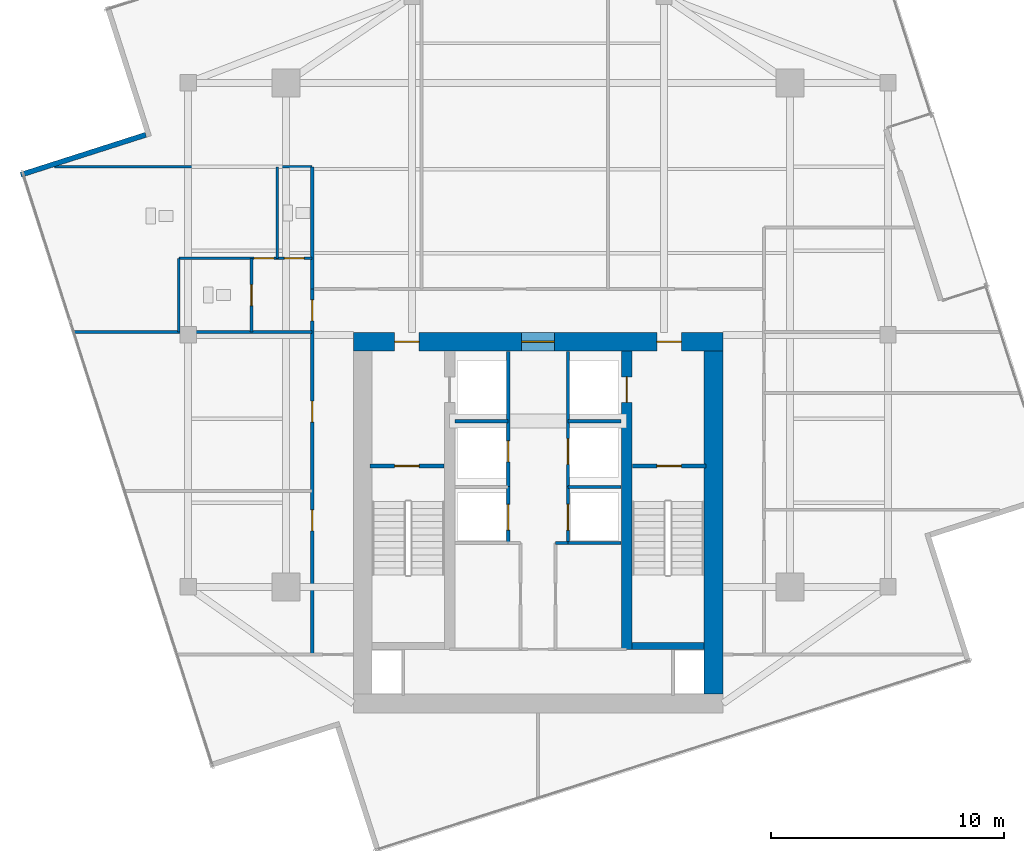
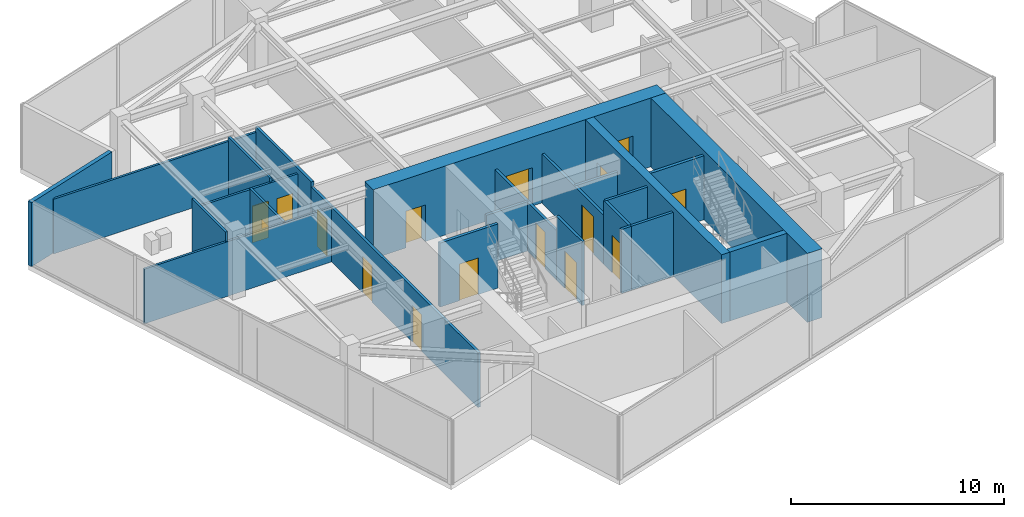
# One storey, part 18 of 21: 24 walls, 16 doors, 16 openings.
"""IFC4 building model written with IfcOpenShell, lengths in metres."""

from ifc_helpers import new_model, si_unit, direction, frame, frame_2d, origin, place, context, subcontext, project, spatial, rectangle, extrude, material, layer, layer_set, type_object, element, fill, save


model = new_model("IFC4")

# Units and contexts
model_context = context("Model", 3, precision=1e-05, world=origin(), true_north=direction((0.0, 1.0)))
body_context = subcontext(model_context, "Body", "Model", "MODEL_VIEW")
ifc_project = project(units=[si_unit("LENGTHUNIT", "METRE"), si_unit("AREAUNIT", "SQUARE_METRE"), si_unit("VOLUMEUNIT", "CUBIC_METRE"), si_unit("PLANEANGLEUNIT", "RADIAN"), si_unit("MASSUNIT", "GRAM", prefix="KILO")], contexts=[model_context])

# Site, building, storey
site_placement = place(None, origin())
site = spatial("IfcSite", under=ifc_project, at=site_placement, CompositionType="ELEMENT")
building_placement = place(site_placement, origin())
building = spatial("IfcBuilding", under=site, at=building_placement, Name="Krantzveldt Concourse Tower", CompositionType="ELEMENT")
storey_placement = place(building_placement, frame((0.0, 0.0, 339.550048828125)))
storey = spatial("IfcBuildingStorey", under=building, at=storey_placement, Name="L83", CompositionType="ELEMENT", Elevation=339.550048828125)

# Walls
ifc_material_1 = material(Name="Anodised aluminium 6063-T6", Category="aluminium")
ifc_layer_1 = layer(ifc_material_1, 0.219970703125, Name="Anodised aluminium 6063-T6", Category="aluminium")
ifc_layer_set_1 = layer_set([ifc_layer_1], Name="Anodised aluminium 6063-T6 (WL-EXT-NOTCH220)")
wall_type_1 = type_object("IfcWallType", Name="WL-EXT-NOTCH220", PredefinedType="ELEMENTEDWALL", material=ifc_layer_set_1)
wall_1_placement = place(storey_placement, frame((19.186279296875, 35.272216796875, 0.0), z_axis=(0.0, 0.0, 1.0), x_axis=(-0.952395921602, -0.30486391803, 0.0)))
element("IfcWall", 1, at=wall_1_placement, inside=storey, type_object=wall_type_1, Name="EW-L83-NCH03", PredefinedType="ELEMENTEDWALL", context=body_context, shape_type="SweptSolid", body=[
    extrude(rectangle(XDim=5.625, YDim=0.219970703125, at=frame_2d((2.8125, 0.0))), origin(), (0.0, 0.0, 1.0), 3.669921875),
])
ifc_material_2 = material(Name="Fire-rated gypsum plasterboard on steel stud", Category="steel")
ifc_layer_2 = layer(ifc_material_2, 0.1201171875, Name="Fire-rated gypsum plasterboard on steel stud", Category="steel")
ifc_layer_set_2 = layer_set([ifc_layer_2], Name="Fire-rated gypsum plasterboard on steel stud (WL-PART-120)")
wall_type_2 = type_object("IfcWallType", Name="WL-PART-120", PredefinedType="PARTITIONING", material=ifc_layer_set_2)
wall_2_placement = place(storey_placement, frame((16.1064453125, 26.820068359375, 0.0), z_axis=(0.0, 0.0, 1.0), x_axis=(1.0, 0.0, 0.0)))
element("IfcWall", 2, at=wall_2_placement, inside=storey, type_object=wall_type_2, Name="WP-L83-WCBS", PredefinedType="PARTITIONING", context=body_context, shape_type="SweptSolid", body=[
    extrude(rectangle(XDim=10.213623046875, YDim=0.1201171875, at=frame_2d((5.10693359375, 0.0))), origin(), (0.0, 0.0, 1.0), 3.1298828125),
])
wall_3_placement = place(storey_placement, frame((15.27685546875, 33.89990234375, 0.0), z_axis=(0.0, 0.0, 1.0), x_axis=(1.0, 0.0, 0.0)))
element("IfcWall", 3, at=wall_3_placement, inside=storey, type_object=wall_type_2, Name="WP-L83-WCBN", PredefinedType="PARTITIONING", context=body_context, shape_type="SweptSolid", body=[
    extrude(rectangle(XDim=11.043212890625, YDim=0.1201171875, at=frame_2d((5.521484375, 0.0))), origin(), (0.0, 0.0, 1.0), 3.1298828125),
])

# Wall, openings, doors
wall_4_placement = place(storey_placement, frame((20.60009765625, 29.97998046875, 0.0), z_axis=(0.0, 0.0, 1.0), x_axis=(1.0, 0.0, 0.0)))
wall_4 = element("IfcWall", 4, at=wall_4_placement, inside=storey, type_object=wall_type_2, Name="WP-L83-WCMH", PredefinedType="PARTITIONING", context=body_context, shape_type="SweptSolid", body=[
    extrude(rectangle(XDim=5.719970703125, YDim=0.1201171875, at=frame_2d((2.85986328125, 0.0))), origin(), (0.0, 0.0, 1.0), 3.1298828125),
])
opening_1_placement = place(wall_4_placement, frame((3.22509765625, 0.0, 0.0)))
opening_1 = element("IfcOpeningElement", 5, at=opening_1_placement, cuts=wall_4, Name="Opening D-IN085", PredefinedType="OPENING", context=body_context, shape_type="SweptSolid", body=[
    extrude(rectangle(XDim=0.85009765625, YDim=2.10009765625, at=frame_2d((0.425048828125, 1.050048828125))), frame((0.0, 0.070068359375, 0.0), z_axis=(0.0, -1.0, 0.0), x_axis=(1.0, 0.0, 0.0)), (0.0, 0.0, 1.0), 0.14013671875),
])
opening_2_placement = place(wall_4_placement, frame((4.52490234375, 0.0, 0.0)))
opening_2 = element("IfcOpeningElement", 6, at=opening_2_placement, cuts=wall_4, Name="Opening D-IN085", PredefinedType="OPENING", context=body_context, shape_type="SweptSolid", body=[
    extrude(rectangle(XDim=0.85009765625, YDim=2.10009765625, at=frame_2d((0.425048828125, 1.050048828125))), frame((0.0, 0.070068359375, 0.0), z_axis=(0.0, -1.0, 0.0), x_axis=(1.0, 0.0, 0.0)), (0.0, 0.0, 1.0), 0.14013671875),
])
ifc_material_3 = material(Name="Hardwood timber", Category="wood")
door_type_1 = type_object("IfcDoorType", Name="DR-INT-850", OperationType="SINGLE_SWING_LEFT", PredefinedType="DOOR", material=ifc_material_3)
door_1_placement = place(opening_1_placement, origin())
door_1 = element("IfcDoor", 7, at=door_1_placement, inside=storey, type_object=door_type_1, Name="DR-L83-WCM", OperationType="SINGLE_SWING_LEFT", OverallHeight=2.10009765625, OverallWidth=0.85009765625, PredefinedType="DOOR", context=body_context, shape_type="SweptSolid", body=[
    extrude(rectangle(XDim=0.85009765625, YDim=2.10009765625, at=frame_2d((0.425048828125, 1.050048828125))), frame((0.0, 0.02490234375, 0.0), z_axis=(0.0, -1.0, 0.0), x_axis=(1.0, 0.0, 0.0)), (0.0, 0.0, 1.0), 0.050048828125),
])
fill(opening_1, door_1)
door_2_placement = place(opening_2_placement, origin())
door_2 = element("IfcDoor", 8, at=door_2_placement, inside=storey, type_object=door_type_1, Name="DR-L83-WCF", OperationType="SINGLE_SWING_RIGHT", OverallHeight=2.10009765625, OverallWidth=0.85009765625, PredefinedType="DOOR", context=body_context, shape_type="SweptSolid", body=[
    extrude(rectangle(XDim=0.85009765625, YDim=2.10009765625, at=frame_2d((0.425048828125, 1.050048828125))), frame((0.0, 0.02490234375, 0.0), z_axis=(0.0, -1.0, 0.0), x_axis=(1.0, 0.0, 0.0)), (0.0, 0.0, 1.0), 0.050048828125),
])
fill(opening_2, door_2)

# Wall
wall_5_placement = place(storey_placement, frame((20.60009765625, 26.820068359375, 0.0), z_axis=(0.0, 0.0, 1.0), x_axis=(0.0, 1.0, 0.0)))
element("IfcWall", 9, at=wall_5_placement, inside=storey, type_object=wall_type_2, Name="WP-L83-WCAL", PredefinedType="PARTITIONING", context=body_context, shape_type="SweptSolid", body=[
    extrude(rectangle(XDim=3.159912109375, YDim=0.1201171875, at=frame_2d((1.580078125, 0.0))), origin(), (0.0, 0.0, 1.0), 3.669921875),
])

# Wall, opening, door
wall_6_placement = place(storey_placement, frame((23.719970703125, 26.820068359375, 0.0), z_axis=(0.0, 0.0, 1.0), x_axis=(0.0, 1.0, 0.0)))
wall_6 = element("IfcWall", 10, at=wall_6_placement, inside=storey, type_object=wall_type_2, Name="WP-L83-WCAV", PredefinedType="PARTITIONING", context=body_context, shape_type="SweptSolid", body=[
    extrude(rectangle(XDim=3.159912109375, YDim=0.1201171875, at=frame_2d((1.580078125, 0.0))), origin(), (0.0, 0.0, 1.0), 3.179931640625),
])
opening_3_placement = place(wall_6_placement, frame((1.1298828125, 0.0, 0.0)))
opening_3 = element("IfcOpeningElement", 11, at=opening_3_placement, cuts=wall_6, Name="Opening D-IN090", PredefinedType="OPENING", context=body_context, shape_type="SweptSolid", body=[
    extrude(rectangle(XDim=0.89990234375, YDim=2.10009765625, at=frame_2d((0.449951171875, 1.050048828125))), frame((0.0, 0.070068359375, 0.0), z_axis=(0.0, -1.0, 0.0), x_axis=(1.0, 0.0, 0.0)), (0.0, 0.0, 1.0), 0.14013671875),
])
door_type_2 = type_object("IfcDoorType", Name="DR-INT-900", OperationType="SINGLE_SWING_LEFT", PredefinedType="DOOR", material=ifc_material_3)
door_3_placement = place(opening_3_placement, origin())
door_3 = element("IfcDoor", 12, at=door_3_placement, inside=storey, type_object=door_type_2, Name="DR-L83-WCA", OperationType="SINGLE_SWING_LEFT", OverallHeight=2.10009765625, OverallWidth=0.89990234375, PredefinedType="DOOR", context=body_context, shape_type="SweptSolid", body=[
    extrude(rectangle(XDim=0.89990234375, YDim=2.10009765625, at=frame_2d((0.449951171875, 1.050048828125))), frame((0.0, 0.02490234375, 0.0), z_axis=(0.0, -1.0, 0.0), x_axis=(1.0, 0.0, 0.0)), (0.0, 0.0, 1.0), 0.050048828125),
])
fill(opening_3, door_3)

# Wall
wall_7_placement = place(storey_placement, frame((24.820068359375, 29.97998046875, 0.0), z_axis=(0.0, 0.0, 1.0), x_axis=(0.0, 1.0, 0.0)))
element("IfcWall", 13, at=wall_7_placement, inside=storey, type_object=wall_type_2, Name="WP-L83-WCFD", PredefinedType="PARTITIONING", context=body_context, shape_type="SweptSolid", body=[
    extrude(rectangle(XDim=3.919921875, YDim=0.1201171875, at=frame_2d((1.9599609375, 0.0))), origin(), (0.0, 0.0, 1.0), 3.369873046875),
])

# Wall, openings, doors
ifc_layer_3 = layer(ifc_material_2, 0.139892578125, Name="Fire-rated gypsum plasterboard on steel stud", Category="steel")
ifc_layer_set_3 = layer_set([ifc_layer_3], Name="Fire-rated gypsum plasterboard on steel stud (WL-PART-140)")
wall_type_3 = type_object("IfcWallType", Name="WL-PART-140", PredefinedType="PARTITIONING", material=ifc_layer_set_3)
wall_8_placement = place(storey_placement, frame((26.320068359375, 13.0, 0.0), z_axis=(0.0, 0.0, 1.0), x_axis=(0.0, 1.0, 0.0)))
wall_8 = element("IfcWall", 14, at=wall_8_placement, inside=storey, type_object=wall_type_3, Name="WP-L83-CWEST", PredefinedType="PARTITIONING", context=body_context, shape_type="SweptSolid", body=[
    extrude(rectangle(XDim=15.659912109375, YDim=0.139892578125, at=frame_2d((7.830078125, 0.0))), origin(), (0.0, 0.0, 1.0), 3.1298828125),
])
opening_4_placement = place(wall_8_placement, frame((14.300048828125, 0.0, 0.0)))
opening_4 = element("IfcOpeningElement", 15, at=opening_4_placement, cuts=wall_8, Name="Opening D-IN090", PredefinedType="OPENING", context=body_context, shape_type="SweptSolid", body=[
    extrude(rectangle(XDim=0.89990234375, YDim=2.10009765625, at=frame_2d((0.449951171875, 1.050048828125))), frame((0.0, 0.080078125, 0.0), z_axis=(0.0, -1.0, 0.0), x_axis=(1.0, 0.0, 0.0)), (0.0, 0.0, 1.0), 0.159912109375),
])
opening_5_placement = place(wall_8_placement, frame((5.300048828125, 0.0, 0.0)))
opening_5 = element("IfcOpeningElement", 16, at=opening_5_placement, cuts=wall_8, Name="Opening D-IN090", PredefinedType="OPENING", context=body_context, shape_type="SweptSolid", body=[
    extrude(rectangle(XDim=0.89990234375, YDim=2.10009765625, at=frame_2d((0.449951171875, 1.050048828125))), frame((0.0, 0.080078125, 0.0), z_axis=(0.0, -1.0, 0.0), x_axis=(1.0, 0.0, 0.0)), (0.0, 0.0, 1.0), 0.159912109375),
])
opening_6_placement = place(wall_8_placement, frame((9.9599609375, 0.0, 0.0)))
opening_6 = element("IfcOpeningElement", 17, at=opening_6_placement, cuts=wall_8, Name="Opening D-IN090", PredefinedType="OPENING", context=body_context, shape_type="SweptSolid", body=[
    extrude(rectangle(XDim=0.89990234375, YDim=2.10009765625, at=frame_2d((0.449951171875, 1.050048828125))), frame((0.0, 0.080078125, 0.0), z_axis=(0.0, -1.0, 0.0), x_axis=(1.0, 0.0, 0.0)), (0.0, 0.0, 1.0), 0.159912109375),
])
door_4_placement = place(opening_4_placement, origin())
door_4 = element("IfcDoor", 18, at=door_4_placement, inside=storey, type_object=door_type_2, Name="DR-L83-WCV", OperationType="SINGLE_SWING_LEFT", OverallHeight=2.10009765625, OverallWidth=0.89990234375, PredefinedType="DOOR", context=body_context, shape_type="SweptSolid", body=[
    extrude(rectangle(XDim=0.89990234375, YDim=2.10009765625, at=frame_2d((0.449951171875, 1.050048828125))), frame((0.0, 0.02490234375, 0.0), z_axis=(0.0, -1.0, 0.0), x_axis=(1.0, 0.0, 0.0)), (0.0, 0.0, 1.0), 0.050048828125),
])
fill(opening_4, door_4)
door_5_placement = place(opening_5_placement, origin())
door_5 = element("IfcDoor", 19, at=door_5_placement, inside=storey, type_object=door_type_2, Name="DR-L83-WR1", OperationType="SINGLE_SWING_LEFT", OverallHeight=2.10009765625, OverallWidth=0.89990234375, PredefinedType="DOOR", context=body_context, shape_type="SweptSolid", body=[
    extrude(rectangle(XDim=0.89990234375, YDim=2.10009765625, at=frame_2d((0.449951171875, 1.050048828125))), frame((0.0, 0.02490234375, 0.0), z_axis=(0.0, -1.0, 0.0), x_axis=(1.0, 0.0, 0.0)), (0.0, 0.0, 1.0), 0.050048828125),
])
fill(opening_5, door_5)
door_6_placement = place(opening_6_placement, origin())
door_6 = element("IfcDoor", 20, at=door_6_placement, inside=storey, type_object=door_type_2, Name="DR-L83-WR2", OperationType="SINGLE_SWING_LEFT", OverallHeight=2.10009765625, OverallWidth=0.89990234375, PredefinedType="DOOR", context=body_context, shape_type="SweptSolid", body=[
    extrude(rectangle(XDim=0.89990234375, YDim=2.10009765625, at=frame_2d((0.449951171875, 1.050048828125))), frame((0.0, 0.02490234375, 0.0), z_axis=(0.0, -1.0, 0.0), x_axis=(1.0, 0.0, 0.0)), (0.0, 0.0, 1.0), 0.050048828125),
])
fill(opening_6, door_6)

# Wall
wall_9_placement = place(storey_placement, frame((26.320068359375, 28.659912109375, 0.0), z_axis=(0.0, 0.0, 1.0), x_axis=(0.0, 1.0, 0.0)))
element("IfcWall", 21, at=wall_9_placement, inside=storey, type_object=wall_type_3, Name="WP-L83-NWL", PredefinedType="PARTITIONING", context=body_context, shape_type="SweptSolid", body=[
    extrude(rectangle(XDim=5.239990234375, YDim=0.139892578125, at=frame_2d((2.6201171875, 0.0))), origin(), (0.0, 0.0, 1.0), 3.429931640625),
])

# Wall, opening, door
ifc_layer_4 = layer(ifc_material_2, 0.139892578125, Name="Fire-rated gypsum plasterboard on steel stud", Category="steel")
ifc_layer_set_4 = layer_set([ifc_layer_4], Name="Fire-rated gypsum plasterboard on steel stud (WL-PART-FR140)")
wall_type_4 = type_object("IfcWallType", Name="WL-PART-FR140", PredefinedType="PARTITIONING", material=ifc_layer_set_4)
wall_10_placement = place(storey_placement, frame((34.719970703125, 20.199951171875, 0.0), z_axis=(0.0, 0.0, 1.0), x_axis=(0.0, 1.0, 0.0)))
wall_10 = element("IfcWall", 22, at=wall_10_placement, inside=storey, type_object=wall_type_4, Name="WP-L83-SHNW", PredefinedType="PARTITIONING", context=body_context, shape_type="SweptSolid", body=[
    extrude(rectangle(XDim=5.780029296875, YDim=0.139892578125, at=frame_2d((2.89013671875, 0.0))), origin(), (0.0, 0.0, 1.0), 2.820068359375),
])
opening_7_placement = place(wall_10_placement, frame((1.050048828125, 0.0, 0.0)))
opening_7 = element("IfcOpeningElement", 23, at=opening_7_placement, cuts=wall_10, Name="Opening D-FD090", PredefinedType="OPENING", context=body_context, shape_type="SweptSolid", body=[
    extrude(rectangle(XDim=0.89990234375, YDim=2.10009765625, at=frame_2d((0.449951171875, 1.050048828125))), frame((0.0, 0.080078125, 0.0), z_axis=(0.0, -1.0, 0.0), x_axis=(1.0, 0.0, 0.0)), (0.0, 0.0, 1.0), 0.159912109375),
])
door_type_3 = type_object("IfcDoorType", Name="DR-FD60-900", OperationType="SINGLE_SWING_LEFT", PredefinedType="DOOR", material=ifc_material_3)
door_7_placement = place(opening_7_placement, origin())
door_7 = element("IfcDoor", 24, at=door_7_placement, inside=storey, type_object=door_type_3, Name="Electrical Riser Access Door L83", OperationType="SINGLE_SWING_LEFT", OverallHeight=2.10009765625, OverallWidth=0.89990234375, PredefinedType="DOOR", context=body_context, shape_type="SweptSolid", body=[
    extrude(rectangle(XDim=0.89990234375, YDim=2.10009765625, at=frame_2d((0.449951171875, 1.050048828125))), frame((0.0, 0.02490234375, 0.0), z_axis=(0.0, -1.0, 0.0), x_axis=(1.0, 0.0, 0.0)), (0.0, 0.0, 1.0), 0.050048828125),
])
fill(opening_7, door_7)

wall_11_placement = place(storey_placement, frame((37.280029296875, 20.199951171875, 0.0), z_axis=(0.0, 0.0, 1.0), x_axis=(0.0, 1.0, 0.0)))
wall_11 = element("IfcWall", 25, at=wall_11_placement, inside=storey, type_object=wall_type_4, Name="WP-L83-SHNE", PredefinedType="PARTITIONING", context=body_context, shape_type="SweptSolid", body=[
    extrude(rectangle(XDim=5.780029296875, YDim=0.139892578125, at=frame_2d((2.89013671875, 0.0))), origin(), (0.0, 0.0, 1.0), 2.820068359375),
])
opening_8_placement = place(wall_11_placement, frame((0.949951171875, 0.0, 0.0)))
opening_8 = element("IfcOpeningElement", 26, at=opening_8_placement, cuts=wall_11, Name="Opening LD", PredefinedType="OPENING", context=body_context, shape_type="SweptSolid", body=[
    extrude(rectangle(XDim=1.10009765625, YDim=2.14990234375, at=frame_2d((0.550048828125, 1.074951171875))), frame((0.0, 0.080078125, 0.0), z_axis=(0.0, -1.0, 0.0), x_axis=(1.0, 0.0, 0.0)), (0.0, 0.0, 1.0), 0.159912109375),
])
ifc_material_4 = material(Name="Stainless steel 316L", Category="steel")
door_type_4 = type_object("IfcDoorType", Name="DR-SLIDE-LD1100", OperationType="DOUBLE_DOOR_SLIDING", PredefinedType="DOOR", material=ifc_material_4)
door_8_placement = place(opening_8_placement, origin())
door_8 = element("IfcDoor", 27, at=door_8_placement, inside=storey, type_object=door_type_4, Name="LD-L83-GL1", OperationType="DOUBLE_DOOR_SLIDING", OverallHeight=2.14990234375, OverallWidth=1.10009765625, PredefinedType="DOOR", context=body_context, shape_type="SweptSolid", body=[
    extrude(rectangle(XDim=1.10009765625, YDim=2.14990234375, at=frame_2d((0.550048828125, 1.074951171875))), frame((0.0, 0.02490234375, 0.0), z_axis=(0.0, -1.0, 0.0), x_axis=(1.0, 0.0, 0.0)), (0.0, 0.0, 1.0), 0.050048828125),
])
fill(opening_8, door_8)

# Walls
for number, where, z_axis, x_axis, name in (
    (28, (32.449951171875, 23.0, 0.0), (0.0, 0.0, 1.0), (1.0, 0.0, 0.0), "WP-L83-RISH"),
    (29, (37.280029296875, 23.0, 0.0), (0.0, 0.0, 1.0), (1.0, 0.0, 0.0), "WP-L83-GLH"),
):
    element("IfcWall", number, at=place(storey_placement, frame(where, z_axis=z_axis, x_axis=x_axis)), inside=storey, type_object=wall_type_4, Name=name, PredefinedType="PARTITIONING", context=body_context, shape_type="SweptSolid", body=[
        extrude(rectangle(XDim=2.27001953125, YDim=0.139892578125, at=frame_2d((1.135009765625, 0.0))), origin(), (0.0, 0.0, 1.0), 2.820068359375),
    ])

# Wall, opening, door
wall_12_placement = place(storey_placement, frame((34.719970703125, 17.780029296875, 0.0), z_axis=(0.0, 0.0, 1.0), x_axis=(0.0, 1.0, 0.0)))
wall_12 = element("IfcWall", 30, at=wall_12_placement, inside=storey, type_object=wall_type_4, Name="WP-L83-SHNW2", PredefinedType="PARTITIONING", context=body_context, shape_type="SweptSolid", body=[
    extrude(rectangle(XDim=2.419921875, YDim=0.139892578125, at=frame_2d((1.2099609375, 0.0))), origin(), (0.0, 0.0, 1.0), 3.669921875),
])
opening_9_placement = place(wall_12_placement, frame((0.550048828125, 0.0, 0.0)))
opening_9 = element("IfcOpeningElement", 31, at=opening_9_placement, cuts=wall_12, Name="Opening LD", PredefinedType="OPENING", context=body_context, shape_type="SweptSolid", body=[
    extrude(rectangle(XDim=1.10009765625, YDim=2.14990234375, at=frame_2d((0.550048828125, 1.074951171875))), frame((0.0, 0.080078125, 0.0), z_axis=(0.0, -1.0, 0.0), x_axis=(1.0, 0.0, 0.0)), (0.0, 0.0, 1.0), 0.159912109375),
])
door_9_placement = place(opening_9_placement, origin())
door_9 = element("IfcDoor", 32, at=door_9_placement, inside=storey, type_object=door_type_4, Name="LD-L83-PH1", OperationType="DOUBLE_DOOR_SLIDING", OverallHeight=2.14990234375, OverallWidth=1.10009765625, PredefinedType="DOOR", context=body_context, shape_type="SweptSolid", body=[
    extrude(rectangle(XDim=1.10009765625, YDim=2.14990234375, at=frame_2d((0.550048828125, 1.074951171875))), frame((0.0, 0.02490234375, 0.0), z_axis=(0.0, -1.0, 0.0), x_axis=(1.0, 0.0, 0.0)), (0.0, 0.0, 1.0), 0.050048828125),
])
fill(opening_9, door_9)

wall_13_placement = place(storey_placement, frame((37.280029296875, 17.780029296875, 0.0), z_axis=(0.0, 0.0, 1.0), x_axis=(0.0, 1.0, 0.0)))
wall_13 = element("IfcWall", 33, at=wall_13_placement, inside=storey, type_object=wall_type_4, Name="WP-L83-SHNE2", PredefinedType="PARTITIONING", context=body_context, shape_type="SweptSolid", body=[
    extrude(rectangle(XDim=2.419921875, YDim=0.139892578125, at=frame_2d((1.2099609375, 0.0))), origin(), (0.0, 0.0, 1.0), 3.669921875),
])
opening_10_placement = place(wall_13_placement, frame((0.550048828125, 0.0, 0.0)))
opening_10 = element("IfcOpeningElement", 34, at=opening_10_placement, cuts=wall_13, Name="Opening LD", PredefinedType="OPENING", context=body_context, shape_type="SweptSolid", body=[
    extrude(rectangle(XDim=1.10009765625, YDim=2.14990234375, at=frame_2d((0.550048828125, 1.074951171875))), frame((0.0, 0.080078125, 0.0), z_axis=(0.0, -1.0, 0.0), x_axis=(1.0, 0.0, 0.0)), (0.0, 0.0, 1.0), 0.159912109375),
])
door_10_placement = place(opening_10_placement, origin())
door_10 = element("IfcDoor", 35, at=door_10_placement, inside=storey, type_object=door_type_4, Name="LD-L83-PH2", OperationType="DOUBLE_DOOR_SLIDING", OverallHeight=2.14990234375, OverallWidth=1.10009765625, PredefinedType="DOOR", context=body_context, shape_type="SweptSolid", body=[
    extrude(rectangle(XDim=1.10009765625, YDim=2.14990234375, at=frame_2d((0.550048828125, 1.074951171875))), frame((0.0, 0.02490234375, 0.0), z_axis=(0.0, -1.0, 0.0), x_axis=(1.0, 0.0, 0.0)), (0.0, 0.0, 1.0), 0.050048828125),
])
fill(opening_10, door_10)

# Walls
for number, where, z_axis, x_axis, name in (
    (36, (37.280029296875, 17.780029296875, 0.0), (0.0, 0.0, 1.0), (1.0, 0.0, 0.0), "WP-L83-DIVE2"),
    (37, (37.280029296875, 20.179931640625, 0.0), (0.0, 0.0, 1.0), (1.0, 0.0, 0.0), "WP-L83-DIVE3"),
):
    element("IfcWall", number, at=place(storey_placement, frame(where, z_axis=z_axis, x_axis=x_axis)), inside=storey, type_object=wall_type_4, Name=name, PredefinedType="PARTITIONING", context=body_context, shape_type="SweptSolid", body=[
        extrude(rectangle(XDim=2.27001953125, YDim=0.139892578125, at=frame_2d((1.135009765625, 0.0))), origin(), (0.0, 0.0, 1.0), 3.669921875),
    ])
wall_14_placement = place(storey_placement, frame((36.75, 17.780029296875, 0.0), z_axis=(0.0, 0.0, 1.0), x_axis=(1.0, 0.0, 0.0)))
element("IfcWall", 38, at=wall_14_placement, inside=storey, type_object=wall_type_4, Name="WP-L83-RECEN", PredefinedType="PARTITIONING", context=body_context, shape_type="SweptSolid", body=[
    extrude(rectangle(XDim=0.530029296875, YDim=0.139892578125, at=frame_2d((0.26513671875, 0.0))), origin(), (0.0, 0.0, 1.0), 3.669921875),
])

# Wall, opening, door
ifc_layer_5 = layer(ifc_material_2, 0.159912109375, Name="Fire-rated gypsum plasterboard on steel stud", Category="steel")
ifc_layer_set_5 = layer_set([ifc_layer_5], Name="Fire-rated gypsum plasterboard on steel stud (WL-PART-FR160)")
wall_type_5 = type_object("IfcWallType", Name="WL-PART-FR160", PredefinedType="PARTITIONING", material=ifc_layer_set_5)
wall_15_placement = place(storey_placement, frame((28.800048828125, 21.080078125, 0.0), z_axis=(0.0, 0.0, 1.0), x_axis=(1.0, 0.0, 0.0)))
wall_15 = element("IfcWall", 39, at=wall_15_placement, inside=storey, type_object=wall_type_5, Name="WP-L83-ST1", PredefinedType="PARTITIONING", context=body_context, shape_type="SweptSolid", body=[
    extrude(rectangle(XDim=3.159912109375, YDim=0.159912109375, at=frame_2d((1.580078125, 0.0))), origin(), (0.0, 0.0, 1.0), 3.669921875),
])
opening_11_placement = place(wall_15_placement, frame((1.054931640625, 0.0, 0.0)))
opening_11 = element("IfcOpeningElement", 40, at=opening_11_placement, cuts=wall_15, Name="Opening D-FD105", PredefinedType="OPENING", context=body_context, shape_type="SweptSolid", body=[
    extrude(rectangle(XDim=1.050048828125, YDim=2.10009765625, at=frame_2d((0.52490234375, 1.050048828125))), frame((0.0, 0.08984375, 0.0), z_axis=(0.0, -1.0, 0.0), x_axis=(1.0, 0.0, 0.0)), (0.0, 0.0, 1.0), 0.179931640625),
])
ifc_material_5 = material(Name="Galvanised steel", Category="steel")
door_type_5 = type_object("IfcDoorType", Name="DR-FD120-1050", OperationType="SINGLE_SWING_LEFT", PredefinedType="DOOR", material=ifc_material_5)
door_11_placement = place(opening_11_placement, origin())
door_11 = element("IfcDoor", 41, at=door_11_placement, inside=storey, type_object=door_type_5, Name="DR-L83-ST1", OperationType="SINGLE_SWING_RIGHT", OverallHeight=2.10009765625, OverallWidth=1.050048828125, PredefinedType="DOOR", context=body_context, shape_type="SweptSolid", body=[
    extrude(rectangle(XDim=1.050048828125, YDim=2.10009765625, at=frame_2d((0.52490234375, 1.050048828125))), frame((0.0, 0.02490234375, 0.0), z_axis=(0.0, -1.0, 0.0), x_axis=(1.0, 0.0, 0.0)), (0.0, 0.0, 1.0), 0.050048828125),
])
fill(opening_11, door_11)

wall_16_placement = place(storey_placement, frame((40.0400390625, 21.080078125, 0.0), z_axis=(0.0, 0.0, 1.0), x_axis=(1.0, 0.0, 0.0)))
wall_16 = element("IfcWall", 42, at=wall_16_placement, inside=storey, type_object=wall_type_5, Name="WP-L83-ST2", PredefinedType="PARTITIONING", context=body_context, shape_type="SweptSolid", body=[
    extrude(rectangle(XDim=3.159912109375, YDim=0.159912109375, at=frame_2d((1.580078125, 0.0))), origin(), (0.0, 0.0, 1.0), 3.669921875),
])
opening_12_placement = place(wall_16_placement, frame((1.054931640625, 0.0, 0.0)))
opening_12 = element("IfcOpeningElement", 43, at=opening_12_placement, cuts=wall_16, Name="Opening D-FD105", PredefinedType="OPENING", context=body_context, shape_type="SweptSolid", body=[
    extrude(rectangle(XDim=1.050048828125, YDim=2.10009765625, at=frame_2d((0.52490234375, 1.050048828125))), frame((0.0, 0.08984375, 0.0), z_axis=(0.0, -1.0, 0.0), x_axis=(1.0, 0.0, 0.0)), (0.0, 0.0, 1.0), 0.179931640625),
])
door_12_placement = place(opening_12_placement, origin())
door_12 = element("IfcDoor", 44, at=door_12_placement, inside=storey, type_object=door_type_5, Name="DR-L83-ST2", OperationType="SINGLE_SWING_LEFT", OverallHeight=2.10009765625, OverallWidth=1.050048828125, PredefinedType="DOOR", context=body_context, shape_type="SweptSolid", body=[
    extrude(rectangle(XDim=1.050048828125, YDim=2.10009765625, at=frame_2d((0.52490234375, 1.050048828125))), frame((0.0, 0.02490234375, 0.0), z_axis=(0.0, -1.0, 0.0), x_axis=(1.0, 0.0, 0.0)), (0.0, 0.0, 1.0), 0.050048828125),
])
fill(opening_12, door_12)

# Wall
ifc_material_6 = material(Name="Concrete C50/60", Category="concrete")
ifc_layer_6 = layer(ifc_material_6, 0.300048828125, Name="Concrete C50/60", Category="concrete")
ifc_layer_set_6 = layer_set([ifc_layer_6], Name="Concrete C50/60 (WL-SHEAR-300)")
wall_type_6 = type_object("IfcWallType", Name="WL-SHEAR-300", PredefinedType="SHEAR", material=ifc_layer_set_6)
wall_17_placement = place(storey_placement, frame((40.02001953125, 13.3701171875, 0.0), z_axis=(0.0, 0.0, 1.0), x_axis=(1.0, 0.0, 0.0)))
element("IfcWall", 45, at=wall_17_placement, inside=storey, type_object=wall_type_6, Name="CW-L83-ST2S", PredefinedType="SHEAR", context=body_context, shape_type="SweptSolid", body=[
    extrude(rectangle(XDim=3.10009765625, YDim=0.300048828125, at=frame_2d((1.550048828125, 0.0))), origin(), (0.0, 0.0, 1.0), 3.949951171875),
])

# Wall, opening, door
ifc_layer_7 = layer(ifc_material_6, 0.449951171875, Name="Concrete C50/60", Category="concrete")
ifc_layer_set_7 = layer_set([ifc_layer_7], Name="Concrete C50/60 (WL-SHEAR-450)")
wall_type_7 = type_object("IfcWallType", Name="WL-SHEAR-450", PredefinedType="SHEAR", material=ifc_layer_set_7)
wall_18_placement = place(storey_placement, frame((39.794921875, 13.219970703125, 0.0), z_axis=(0.0, 0.0, 1.0), x_axis=(0.0, 1.0, 0.0)))
wall_18 = element("IfcWall", 46, at=wall_18_placement, inside=storey, type_object=wall_type_7, Name="CW-L83-IE", PredefinedType="SHEAR", context=body_context, shape_type="SweptSolid", body=[
    extrude(rectangle(XDim=12.780029296875, YDim=0.449951171875, at=frame_2d((6.39013671875, 0.0))), origin(), (0.0, 0.0, 1.0), 3.949951171875),
])
opening_13_placement = place(wall_18_placement, frame((10.580078125, 0.0, 0.0)))
opening_13 = element("IfcOpeningElement", 47, at=opening_13_placement, cuts=wall_18, Name="Opening LD", PredefinedType="OPENING", context=body_context, shape_type="SweptSolid", body=[
    extrude(rectangle(XDim=1.10009765625, YDim=2.14990234375, at=frame_2d((0.550048828125, 1.074951171875))), frame((0.0, 0.23486328125, 0.0), z_axis=(0.0, -1.0, 0.0), x_axis=(1.0, 0.0, 0.0)), (0.0, 0.0, 1.0), 0.469970703125),
])
door_13_placement = place(opening_13_placement, origin())
door_13 = element("IfcDoor", 48, at=door_13_placement, inside=storey, type_object=door_type_4, Name="LD-L83-FL2", OperationType="DOUBLE_DOOR_SLIDING", OverallHeight=2.14990234375, OverallWidth=1.10009765625, PredefinedType="DOOR", context=body_context, shape_type="SweptSolid", body=[
    extrude(rectangle(XDim=1.10009765625, YDim=2.14990234375, at=frame_2d((0.550048828125, 1.074951171875))), frame((0.0, 0.02490234375, 0.0), z_axis=(0.0, -1.0, 0.0), x_axis=(1.0, 0.0, 0.0)), (0.0, 0.0, 1.0), 0.050048828125),
])
fill(opening_13, door_13)

# Wall, openings, doors
ifc_material_7 = material(Name="Concrete C60/75", Category="concrete")
ifc_layer_8 = layer(ifc_material_7, 0.800048828125, Name="Concrete C60/75", Category="concrete")
ifc_layer_set_8 = layer_set([ifc_layer_8], Name="Concrete C60/75 (WL-SHEAR-800)")
wall_type_8 = type_object("IfcWallType", Name="WL-SHEAR-800", PredefinedType="SHEAR", material=ifc_layer_set_8)
wall_19_placement = place(storey_placement, frame((28.080078125, 26.39990234375, 0.0), z_axis=(0.0, 0.0, 1.0), x_axis=(1.0, 0.0, 0.0)))
wall_19 = element("IfcWall", 49, at=wall_19_placement, inside=storey, type_object=wall_type_8, Name="CW-L83-N", PredefinedType="SHEAR", context=body_context, shape_type="SweptSolid", body=[
    extrude(rectangle(XDim=15.83984375, YDim=0.800048828125, at=frame_2d((7.919921875, 0.0))), origin(), (0.0, 0.0, 1.0), 3.949951171875),
])
opening_14_placement = place(wall_19_placement, frame((7.219970703125, 0.0, 0.0)))
opening_14 = element("IfcOpeningElement", 50, at=opening_14_placement, cuts=wall_19, Name="Opening D-DB140", PredefinedType="OPENING", context=body_context, shape_type="SweptSolid", body=[
    extrude(rectangle(XDim=1.39990234375, YDim=2.199951171875, at=frame_2d((0.699951171875, 1.10009765625))), frame((0.0, 0.41015625, 0.0), z_axis=(0.0, -1.0, 0.0), x_axis=(1.0, 0.0, 0.0)), (0.0, 0.0, 1.0), 0.820068359375),
])
opening_15_placement = place(wall_19_placement, frame((1.77490234375, 0.0, 0.0)))
opening_15 = element("IfcOpeningElement", 51, at=opening_15_placement, cuts=wall_19, Name="Opening D-FD105", PredefinedType="OPENING", context=body_context, shape_type="SweptSolid", body=[
    extrude(rectangle(XDim=1.050048828125, YDim=2.10009765625, at=frame_2d((0.52490234375, 1.050048828125))), frame((0.0, 0.41015625, 0.0), z_axis=(0.0, -1.0, 0.0), x_axis=(1.0, 0.0, 0.0)), (0.0, 0.0, 1.0), 0.820068359375),
])
opening_16_placement = place(wall_19_placement, frame((13.014892578125, 0.0, 0.0)))
opening_16 = element("IfcOpeningElement", 52, at=opening_16_placement, cuts=wall_19, Name="Opening D-FD105", PredefinedType="OPENING", context=body_context, shape_type="SweptSolid", body=[
    extrude(rectangle(XDim=1.050048828125, YDim=2.10009765625, at=frame_2d((0.52490234375, 1.050048828125))), frame((0.0, 0.41015625, 0.0), z_axis=(0.0, -1.0, 0.0), x_axis=(1.0, 0.0, 0.0)), (0.0, 0.0, 1.0), 0.820068359375),
])
door_type_6 = type_object("IfcDoorType", Name="DR-DBL-1400", OperationType="DOUBLE_DOOR_SINGLE_SWING", PredefinedType="DOOR", material=ifc_material_1)
door_14_placement = place(opening_14_placement, origin())
door_14 = element("IfcDoor", 53, at=door_14_placement, inside=storey, type_object=door_type_6, Name="DR-L83-LLB", OperationType="DOUBLE_DOOR_SINGLE_SWING", OverallHeight=2.199951171875, OverallWidth=1.39990234375, PredefinedType="DOOR", context=body_context, shape_type="SweptSolid", body=[
    extrude(rectangle(XDim=1.39990234375, YDim=2.199951171875, at=frame_2d((0.699951171875, 1.10009765625))), frame((0.0, 0.02490234375, 0.0), z_axis=(0.0, -1.0, 0.0), x_axis=(1.0, 0.0, 0.0)), (0.0, 0.0, 1.0), 0.050048828125),
])
fill(opening_14, door_14)
door_15_placement = place(opening_15_placement, origin())
door_15 = element("IfcDoor", 54, at=door_15_placement, inside=storey, type_object=door_type_5, Name="DR-L83-FFL1", OperationType="SINGLE_SWING_LEFT", OverallHeight=2.10009765625, OverallWidth=1.050048828125, PredefinedType="DOOR", context=body_context, shape_type="SweptSolid", body=[
    extrude(rectangle(XDim=1.050048828125, YDim=2.10009765625, at=frame_2d((0.52490234375, 1.050048828125))), frame((0.0, 0.02490234375, 0.0), z_axis=(0.0, -1.0, 0.0), x_axis=(1.0, 0.0, 0.0)), (0.0, 0.0, 1.0), 0.050048828125),
])
fill(opening_15, door_15)
door_16_placement = place(opening_16_placement, origin())
door_16 = element("IfcDoor", 55, at=door_16_placement, inside=storey, type_object=door_type_5, Name="DR-L83-FFL2", OperationType="SINGLE_SWING_RIGHT", OverallHeight=2.10009765625, OverallWidth=1.050048828125, PredefinedType="DOOR", context=body_context, shape_type="SweptSolid", body=[
    extrude(rectangle(XDim=1.050048828125, YDim=2.10009765625, at=frame_2d((0.52490234375, 1.050048828125))), frame((0.0, 0.02490234375, 0.0), z_axis=(0.0, -1.0, 0.0), x_axis=(1.0, 0.0, 0.0)), (0.0, 0.0, 1.0), 0.050048828125),
])
fill(opening_16, door_16)

# Wall
wall_20_placement = place(storey_placement, frame((43.52001953125, 11.300048828125, 0.0), z_axis=(0.0, 0.0, 1.0), x_axis=(0.0, 1.0, 0.0)))
element("IfcWall", 56, at=wall_20_placement, inside=storey, type_object=wall_type_8, Name="CW-L83-E", PredefinedType="SHEAR", context=body_context, shape_type="SweptSolid", body=[
    extrude(rectangle(XDim=14.699951171875, YDim=0.800048828125, at=frame_2d((7.35009765625, 0.0))), origin(), (0.0, 0.0, 1.0), 3.949951171875),
])

save(model, "model.ifc")
